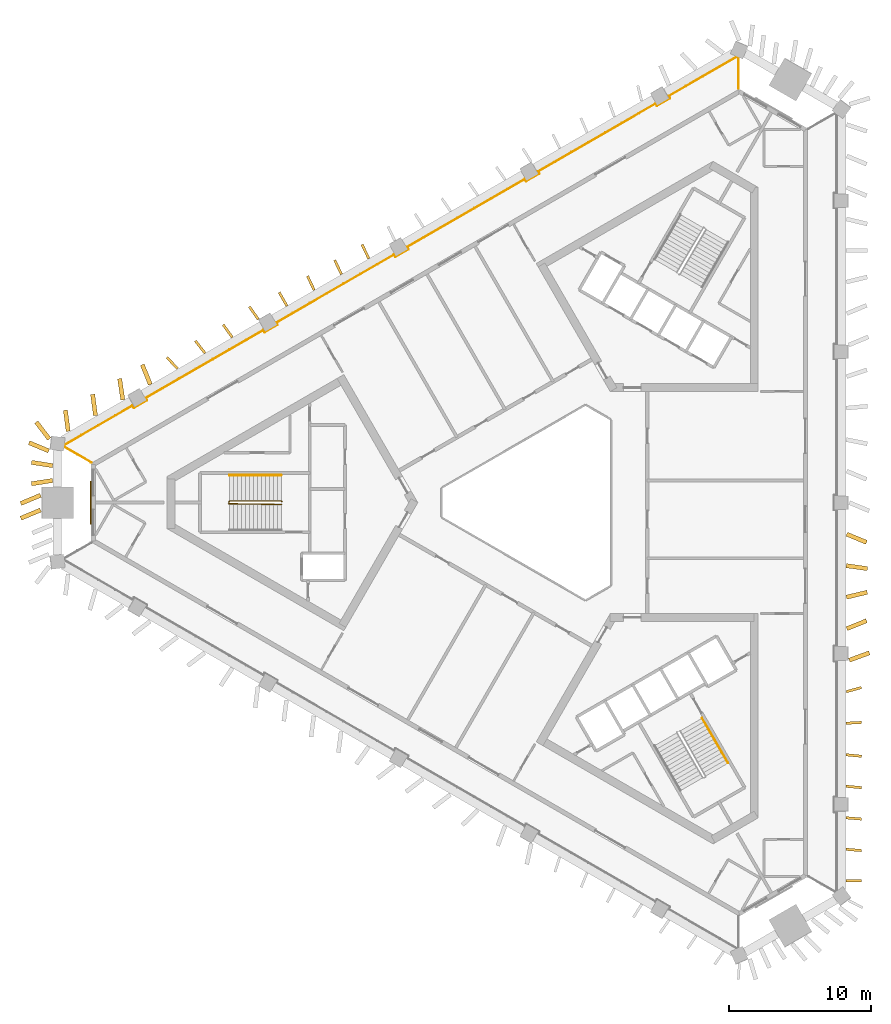
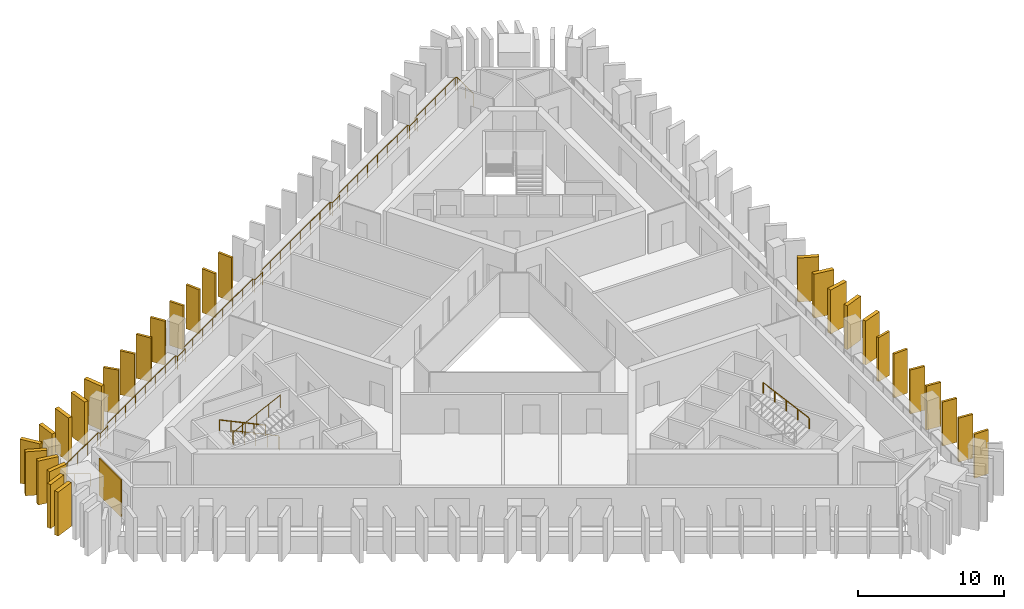
# One storey, part 8 of 9: 30 shading devices, 4 railings, 1 covering.
"""IFC4 building model written with IfcOpenShell, lengths in metres."""

from ifc_helpers import new_model, si_unit, direction, frame, frame_2d, origin, origin_2d, place, context, subcontext, project, spatial, rectangle, circle, extrude, material, layer, layer_set, type_object, element, save


model = new_model("IFC4")

# Units and contexts
model_context = context("Model", 3, precision=1e-05, world=origin(), true_north=direction((0.0, 1.0)))
body_context = subcontext(model_context, "Body", "Model", "MODEL_VIEW")
ifc_project = project(units=[si_unit("LENGTHUNIT", "METRE"), si_unit("AREAUNIT", "SQUARE_METRE"), si_unit("VOLUMEUNIT", "CUBIC_METRE"), si_unit("PLANEANGLEUNIT", "RADIAN"), si_unit("MASSUNIT", "GRAM", prefix="KILO")], contexts=[model_context])

# Site, building, storey
site_placement = place(None, origin())
site = spatial("IfcSite", under=ifc_project, at=site_placement, CompositionType="ELEMENT")
building_placement = place(site_placement, origin())
building = spatial("IfcBuilding", under=site, at=building_placement, Name="Jabali Bay Hotel Tower and Convention Centre", CompositionType="ELEMENT")
storey_placement = place(building_placement, frame((0.0, 0.0, 193.300048828125)))
storey = spatial("IfcBuildingStorey", under=building, at=storey_placement, Name="L47", CompositionType="ELEMENT", Elevation=193.300048828125)

# Railing
ifc_material_1 = material(Name="Glass", Category="glass")
railing_type_1 = type_object("IfcRailingType", Name="Loggia glass guard 1100", PredefinedType="BALUSTRADE", material=ifc_material_1)
railing_1_placement = place(storey_placement, frame((43.081787109375, 82.822021484375, 0.0)))
element("IfcRailing", 1, at=railing_1_placement, inside=storey, type_object=railing_type_1, Name="Loggia glass guard L47", PredefinedType="BALUSTRADE", context=body_context, shape_type="SweptSolid", body=[
    extrude(circle(Radius=0.02490234375, at=origin_2d()), frame((0.0, 0.0, 1.0751953125), z_axis=(-0.866035418383, 0.499982653806, 0.0), x_axis=(-0.495705232892, -0.858626365323, 0.13052619222)), (0.0, 0.0, 1.0), 2.19287109375),
    extrude(circle(Radius=0.02490234375, at=origin_2d()), frame((-1.899169921875, 1.096435546875, 1.0751953125), z_axis=(0.119984594018, 0.992775753732, 0.0), x_axis=(-0.984282419534, 0.118958109183, 0.13052619222)), (0.0, 0.0, 1.0), 0.126220703125),
    extrude(circle(Radius=0.02490234375, at=origin_2d()), frame((-1.884033203125, 1.2216796875, 1.0751953125), z_axis=(0.866020156448, 0.500009088543, 0.0), x_axis=(-0.495731441476, 0.858611233957, 0.13052619222)), (0.0, 0.0, 1.0), 5.52978515625),
    extrude(circle(Radius=0.02490234375, at=origin_2d()), frame((2.90478515625, 3.986572265625, 1.0751953125), z_axis=(0.500486622847, -0.865744269604, 0.0), x_axis=(0.858337707362, 0.496204890408, 0.13052619222)), (0.0, 0.0, 1.0), 0.175048828125),
    extrude(circle(Radius=0.02490234375, at=origin_2d()), frame((2.992431640625, 3.8349609375, 1.0751953125), z_axis=(0.86592997719, 0.500165247297, 0.0), x_axis=(-0.495886264271, 0.858521826194, 0.13052619222)), (0.0, 0.0, 1.0), 1.050048828125),
    extrude(circle(Radius=0.02490234375, at=origin_2d()), frame((3.901611328125, 4.360107421875, 1.0751953125), z_axis=(-0.499440622861, 0.866348119543, 0.0), x_axis=(-0.858936391282, -0.495167839097, 0.13052619222)), (0.0, 0.0, 1.0), 0.175048828125),
    extrude(circle(Radius=0.02490234375, at=origin_2d()), frame((3.814208984375, 4.51171875, 1.0751953125), z_axis=(0.866030175195, 0.499991735583, 0.0), x_axis=(-0.495714236973, 0.858621166992, 0.13052619222)), (0.0, 0.0, 1.0), 9.548583984375),
    extrude(circle(Radius=0.02490234375, at=origin_2d()), frame((12.08349609375, 9.285888671875, 1.0751953125), z_axis=(0.499440622861, -0.866348119543, 0.0), x_axis=(0.858936391282, 0.495167839097, 0.13052619222)), (0.0, 0.0, 1.0), 0.175048828125),
    extrude(circle(Radius=0.02490234375, at=origin_2d()), frame((12.1708984375, 9.13427734375, 1.0751953125), z_axis=(0.865988129768, 0.500064554934, 0.0), x_axis=(-0.495786433345, 0.858579481269, 0.13052619222)), (0.0, 0.0, 1.0), 1.050048828125),
    extrude(circle(Radius=0.02490234375, at=origin_2d()), frame((13.080322265625, 9.659423828125, 1.0751953125), z_axis=(-0.501091290591, 0.865394429433, 0.0), x_axis=(-0.857990860123, -0.496804385136, 0.13052619222)), (0.0, 0.0, 1.0), 0.1748046875),
    extrude(circle(Radius=0.02490234375, at=origin_2d()), frame((12.99267578125, 9.810791015625, 1.0751953125), z_axis=(0.866019103767, 0.500010911791, 0.0), x_axis=(-0.495733249126, 0.858610190282, 0.13052619222)), (0.0, 0.0, 1.0), 9.548583984375),
    extrude(circle(Radius=0.02490234375, at=origin_2d()), frame((21.261962890625, 14.585205078125, 1.0751953125), z_axis=(0.499440622861, -0.866348119543, 0.0), x_axis=(0.858936391282, 0.495167839097, 0.13052619222)), (0.0, 0.0, 1.0), 0.175048828125),
    extrude(circle(Radius=0.02490234375, at=origin_2d()), frame((21.349365234375, 14.43359375, 1.0751953125), z_axis=(0.866088799389, 0.499890179513, 0.0), x_axis=(-0.495613549729, 0.858679289647, 0.13052619222)), (0.0, 0.0, 1.0), 1.050048828125),
    extrude(circle(Radius=0.02490234375, at=origin_2d()), frame((22.2587890625, 14.95849609375, 1.0751953125), z_axis=(-0.499440622861, 0.866348119543, 0.0), x_axis=(-0.858936391282, -0.495167839097, 0.13052619222)), (0.0, 0.0, 1.0), 0.175048828125),
    extrude(circle(Radius=0.02490234375, at=origin_2d()), frame((22.17138671875, 15.110107421875, 1.0751953125), z_axis=(0.866030175195, 0.499991735583, 0.0), x_axis=(-0.495714236973, 0.858621166992, 0.13052619222)), (0.0, 0.0, 1.0), 9.548583984375),
    extrude(circle(Radius=0.02490234375, at=origin_2d()), frame((30.440673828125, 19.88427734375, 1.0751953125), z_axis=(0.500044870432, -0.865999496279, 0.0), x_axis=(0.858590750538, 0.495766917246, 0.13052619222)), (0.0, 0.0, 1.0), 0.1748046875),
    extrude(circle(Radius=0.02490234375, at=origin_2d()), frame((30.528076171875, 19.73291015625, 1.0751953125), z_axis=(0.866088799389, 0.499890179513, 0.0), x_axis=(-0.495613549729, 0.858679289647, 0.13052619222)), (0.0, 0.0, 1.0), 1.050048828125),
    extrude(circle(Radius=0.02490234375, at=origin_2d()), frame((31.4375, 20.2578125, 1.0751953125), z_axis=(-0.500486622847, 0.865744269604, 0.0), x_axis=(-0.858337707362, -0.496204890408, 0.13052619222)), (0.0, 0.0, 1.0), 0.175048828125),
    extrude(circle(Radius=0.02490234375, at=origin_2d()), frame((31.349853515625, 20.409423828125, 1.0751953125), z_axis=(0.866030175195, 0.499991735583, 0.0), x_axis=(-0.495714236973, 0.858621166992, 0.13052619222)), (0.0, 0.0, 1.0), 9.548583984375),
    extrude(circle(Radius=0.02490234375, at=origin_2d()), frame((39.619140625, 25.18359375, 1.0751953125), z_axis=(0.499440622861, -0.866348119543, 0.0), x_axis=(0.858936391282, 0.495167839097, 0.13052619222)), (0.0, 0.0, 1.0), 0.175048828125),
    extrude(circle(Radius=0.02490234375, at=origin_2d()), frame((39.70654296875, 25.031982421875, 1.0751953125), z_axis=(0.865988129768, 0.500064554934, 0.0), x_axis=(-0.495786433345, 0.858579481269, 0.13052619222)), (0.0, 0.0, 1.0), 1.050048828125),
    extrude(circle(Radius=0.02490234375, at=origin_2d()), frame((40.615966796875, 25.55712890625, 1.0751953125), z_axis=(-0.499440622861, 0.866348119543, 0.0), x_axis=(-0.858936391282, -0.495167839097, 0.13052619222)), (0.0, 0.0, 1.0), 0.175048828125),
    extrude(circle(Radius=0.02490234375, at=origin_2d()), frame((40.528564453125, 25.708740234375, 1.0751953125), z_axis=(0.866020156448, 0.500009088543, 0.0), x_axis=(-0.495731441476, 0.858611233957, 0.13052619222)), (0.0, 0.0, 1.0), 5.52978515625),
    extrude(circle(Radius=0.02490234375, at=origin_2d()), frame((45.3173828125, 28.4736328125, 1.0751953125), z_axis=(0.9195450827, -0.39298453008, 0.0), x_axis=(0.389622492947, 0.911678247044, 0.13052619222)), (0.0, 0.0, 1.0), 0.126220703125),
    extrude(circle(Radius=0.02490234375, at=origin_2d()), frame((45.433349609375, 28.424072265625, 1.0751953125), z_axis=(0.0, -1.0, 0.0), x_axis=(0.991444861374, 0.0, 0.13052619222)), (0.0, 0.0, 1.0), 2.19287109375),
    extrude(circle(Radius=0.02001953125, at=origin_2d()), origin(), (0.0, 0.0, 1.0), 1.050048828125),
    extrude(circle(Radius=0.02001953125, at=origin_2d()), frame((-0.94970703125, 0.54833984375, 0.0)), (0.0, 0.0, 1.0), 1.050048828125),
    extrude(circle(Radius=0.02001953125, at=origin_2d()), frame((-1.899169921875, 1.096435546875, 0.0)), (0.0, 0.0, 1.0), 1.050048828125),
    extrude(circle(Radius=0.02001953125, at=origin_2d()), frame((-1.884033203125, 1.2216796875, 0.0)), (0.0, 0.0, 1.0), 1.050048828125),
    extrude(circle(Radius=0.02001953125, at=origin_2d()), frame((-0.686767578125, 1.912841796875, 0.0)), (0.0, 0.0, 1.0), 1.050048828125),
    extrude(circle(Radius=0.02001953125, at=origin_2d()), frame((0.51025390625, 2.60400390625, 0.0)), (0.0, 0.0, 1.0), 1.050048828125),
    extrude(circle(Radius=0.02001953125, at=origin_2d()), frame((1.70751953125, 3.29541015625, 0.0)), (0.0, 0.0, 1.0), 1.050048828125),
    extrude(circle(Radius=0.02001953125, at=origin_2d()), frame((2.90478515625, 3.986572265625, 0.0)), (0.0, 0.0, 1.0), 1.050048828125),
    extrude(circle(Radius=0.02001953125, at=origin_2d()), frame((2.992431640625, 3.8349609375, 0.0)), (0.0, 0.0, 1.0), 1.050048828125),
    extrude(circle(Radius=0.02001953125, at=origin_2d()), frame((3.901611328125, 4.360107421875, 0.0)), (0.0, 0.0, 1.0), 1.050048828125),
    extrude(circle(Radius=0.02001953125, at=origin_2d()), frame((3.814208984375, 4.51171875, 0.0)), (0.0, 0.0, 1.0), 1.050048828125),
    extrude(circle(Radius=0.02001953125, at=origin_2d()), frame((4.99560546875, 5.19384765625, 0.0)), (0.0, 0.0, 1.0), 1.050048828125),
    extrude(circle(Radius=0.02001953125, at=origin_2d()), frame((6.1767578125, 5.875732421875, 0.0)), (0.0, 0.0, 1.0), 1.050048828125),
    extrude(circle(Radius=0.02001953125, at=origin_2d()), frame((7.358154296875, 6.557861328125, 0.0)), (0.0, 0.0, 1.0), 1.050048828125),
    extrude(circle(Radius=0.02001953125, at=origin_2d()), frame((8.53955078125, 7.23974609375, 0.0)), (0.0, 0.0, 1.0), 1.050048828125),
    extrude(circle(Radius=0.02001953125, at=origin_2d()), frame((9.720947265625, 7.921875, 0.0)), (0.0, 0.0, 1.0), 1.050048828125),
    extrude(circle(Radius=0.02001953125, at=origin_2d()), frame((10.902099609375, 8.603759765625, 0.0)), (0.0, 0.0, 1.0), 1.050048828125),
    extrude(circle(Radius=0.02001953125, at=origin_2d()), frame((12.08349609375, 9.285888671875, 0.0)), (0.0, 0.0, 1.0), 1.050048828125),
    extrude(circle(Radius=0.02001953125, at=origin_2d()), frame((12.1708984375, 9.13427734375, 0.0)), (0.0, 0.0, 1.0), 1.050048828125),
    extrude(circle(Radius=0.02001953125, at=origin_2d()), frame((13.080322265625, 9.659423828125, 0.0)), (0.0, 0.0, 1.0), 1.050048828125),
    extrude(circle(Radius=0.02001953125, at=origin_2d()), frame((12.99267578125, 9.810791015625, 0.0)), (0.0, 0.0, 1.0), 1.050048828125),
    extrude(circle(Radius=0.02001953125, at=origin_2d()), frame((14.174072265625, 10.492919921875, 0.0)), (0.0, 0.0, 1.0), 1.050048828125),
    extrude(circle(Radius=0.02001953125, at=origin_2d()), frame((15.355224609375, 11.1748046875, 0.0)), (0.0, 0.0, 1.0), 1.050048828125),
    extrude(circle(Radius=0.02001953125, at=origin_2d()), frame((16.53662109375, 11.85693359375, 0.0)), (0.0, 0.0, 1.0), 1.050048828125),
    extrude(circle(Radius=0.02001953125, at=origin_2d()), frame((17.718017578125, 12.5390625, 0.0)), (0.0, 0.0, 1.0), 1.050048828125),
    extrude(circle(Radius=0.02001953125, at=origin_2d()), frame((18.8994140625, 13.22119140625, 0.0)), (0.0, 0.0, 1.0), 1.050048828125),
    extrude(circle(Radius=0.02001953125, at=origin_2d()), frame((20.08056640625, 13.903076171875, 0.0)), (0.0, 0.0, 1.0), 1.050048828125),
    extrude(circle(Radius=0.02001953125, at=origin_2d()), frame((21.261962890625, 14.585205078125, 0.0)), (0.0, 0.0, 1.0), 1.050048828125),
    extrude(circle(Radius=0.02001953125, at=origin_2d()), frame((21.349365234375, 14.43359375, 0.0)), (0.0, 0.0, 1.0), 1.050048828125),
    extrude(circle(Radius=0.02001953125, at=origin_2d()), frame((22.2587890625, 14.95849609375, 0.0)), (0.0, 0.0, 1.0), 1.050048828125),
    extrude(circle(Radius=0.02001953125, at=origin_2d()), frame((22.17138671875, 15.110107421875, 0.0)), (0.0, 0.0, 1.0), 1.050048828125),
    extrude(circle(Radius=0.02001953125, at=origin_2d()), frame((23.352783203125, 15.792236328125, 0.0)), (0.0, 0.0, 1.0), 1.050048828125),
    extrude(circle(Radius=0.02001953125, at=origin_2d()), frame((24.533935546875, 16.47412109375, 0.0)), (0.0, 0.0, 1.0), 1.050048828125),
    extrude(circle(Radius=0.02001953125, at=origin_2d()), frame((25.71533203125, 17.15625, 0.0)), (0.0, 0.0, 1.0), 1.050048828125),
    extrude(circle(Radius=0.02001953125, at=origin_2d()), frame((26.896728515625, 17.838134765625, 0.0)), (0.0, 0.0, 1.0), 1.050048828125),
    extrude(circle(Radius=0.02001953125, at=origin_2d()), frame((28.078125, 18.520263671875, 0.0)), (0.0, 0.0, 1.0), 1.050048828125),
    extrude(circle(Radius=0.02001953125, at=origin_2d()), frame((29.25927734375, 19.2021484375, 0.0)), (0.0, 0.0, 1.0), 1.050048828125),
    extrude(circle(Radius=0.02001953125, at=origin_2d()), frame((30.440673828125, 19.88427734375, 0.0)), (0.0, 0.0, 1.0), 1.050048828125),
    extrude(circle(Radius=0.02001953125, at=origin_2d()), frame((30.528076171875, 19.73291015625, 0.0)), (0.0, 0.0, 1.0), 1.050048828125),
    extrude(circle(Radius=0.02001953125, at=origin_2d()), frame((31.4375, 20.2578125, 0.0)), (0.0, 0.0, 1.0), 1.050048828125),
    extrude(circle(Radius=0.02001953125, at=origin_2d()), frame((31.349853515625, 20.409423828125, 0.0)), (0.0, 0.0, 1.0), 1.050048828125),
    extrude(circle(Radius=0.02001953125, at=origin_2d()), frame((32.53125, 21.091552734375, 0.0)), (0.0, 0.0, 1.0), 1.050048828125),
    extrude(circle(Radius=0.02001953125, at=origin_2d()), frame((33.71240234375, 21.7734375, 0.0)), (0.0, 0.0, 1.0), 1.050048828125),
    extrude(circle(Radius=0.02001953125, at=origin_2d()), frame((34.893798828125, 22.45556640625, 0.0)), (0.0, 0.0, 1.0), 1.050048828125),
    extrude(circle(Radius=0.02001953125, at=origin_2d()), frame((36.0751953125, 23.137451171875, 0.0)), (0.0, 0.0, 1.0), 1.050048828125),
    extrude(circle(Radius=0.02001953125, at=origin_2d()), frame((37.256591796875, 23.819580078125, 0.0)), (0.0, 0.0, 1.0), 1.050048828125),
    extrude(circle(Radius=0.02001953125, at=origin_2d()), frame((38.437744140625, 24.50146484375, 0.0)), (0.0, 0.0, 1.0), 1.050048828125),
    extrude(circle(Radius=0.02001953125, at=origin_2d()), frame((39.619140625, 25.18359375, 0.0)), (0.0, 0.0, 1.0), 1.050048828125),
    extrude(circle(Radius=0.02001953125, at=origin_2d()), frame((39.70654296875, 25.031982421875, 0.0)), (0.0, 0.0, 1.0), 1.050048828125),
    extrude(circle(Radius=0.02001953125, at=origin_2d()), frame((40.615966796875, 25.55712890625, 0.0)), (0.0, 0.0, 1.0), 1.050048828125),
    extrude(circle(Radius=0.02001953125, at=origin_2d()), frame((40.528564453125, 25.708740234375, 0.0)), (0.0, 0.0, 1.0), 1.050048828125),
    extrude(circle(Radius=0.02001953125, at=origin_2d()), frame((41.725830078125, 26.39990234375, 0.0)), (0.0, 0.0, 1.0), 1.050048828125),
    extrude(circle(Radius=0.02001953125, at=origin_2d()), frame((42.9228515625, 27.09130859375, 0.0)), (0.0, 0.0, 1.0), 1.050048828125),
    extrude(circle(Radius=0.02001953125, at=origin_2d()), frame((44.1201171875, 27.782470703125, 0.0)), (0.0, 0.0, 1.0), 1.050048828125),
    extrude(circle(Radius=0.02001953125, at=origin_2d()), frame((45.3173828125, 28.4736328125, 0.0)), (0.0, 0.0, 1.0), 1.050048828125),
    extrude(circle(Radius=0.02001953125, at=origin_2d()), frame((45.433349609375, 28.424072265625, 0.0)), (0.0, 0.0, 1.0), 1.050048828125),
    extrude(circle(Radius=0.02001953125, at=origin_2d()), frame((45.433349609375, 27.32763671875, 0.0)), (0.0, 0.0, 1.0), 1.050048828125),
    extrude(circle(Radius=0.02001953125, at=origin_2d()), frame((45.433349609375, 26.231201171875, 0.0)), (0.0, 0.0, 1.0), 1.050048828125),
])

# Shading devices
ifc_material_2 = material(Name="Precast concrete C60", Category="concrete")
ifc_layer_1 = layer(ifc_material_2, 0.179931640625)
ifc_layer_set_1 = layer_set([ifc_layer_1], Name="Precast concrete C60")
shading_device_type_1 = type_object("IfcShadingDeviceType", Name="Precast fin 3680 x 1100", PredefinedType="USERDEFINED", material=ifc_layer_set_1)
for number, where, z_axis, x_axis, name in (
    (2, (96.0458984375, 53.460205078125, 0.010009765625), (0.0, 0.0, 1.0), (0.9999880814, -0.004882320859, 0.0), "Fin L47 000"),
    (3, (96.052734375, 55.671875, 0.010009765625), (0.0, 0.0, 1.0), (0.996731463559, -0.080786072753, 0.0), "Fin L47 001"),
    (4, (96.052978515625, 57.883544921875, 0.010009765625), (0.0, 0.0, 1.0), (0.996548818927, -0.083008743492, 0.0), "Fin L47 002"),
):
    element("IfcShadingDevice", number, at=place(storey_placement, frame(where, z_axis=z_axis, x_axis=x_axis)), inside=storey, type_object=shading_device_type_1, Name=name, ObjectType="FIN", PredefinedType="USERDEFINED", context=body_context, shape_type="SweptSolid", body=[
        extrude(rectangle(XDim=1.10009765625, YDim=0.179931640625, at=frame_2d((0.550048828125, 0.0))), origin(), (0.0, 0.0, 1.0), 3.679931640625),
    ])
shading_device_1_placement = place(storey_placement, frame((96.0537109375, 60.09521484375, 0.010009765625), z_axis=(0.0, 0.0, 1.0), x_axis=(0.995931323898, -0.090115470805, 0.0)))
element("IfcShadingDevice", 5, at=shading_device_1_placement, inside=storey, type_object=shading_device_type_1, Name="Fin L47 003", ObjectType="FIN", PredefinedType="USERDEFINED", context=body_context, shape_type="SweptSolid", body=[
    extrude(rectangle(XDim=1.099853515625, YDim=0.179931640625, at=frame_2d((0.5498046875, 0.0))), origin(), (0.0, 0.0, 1.0), 3.679931640625),
])
shading_device_2_placement = place(storey_placement, frame((96.05419921875, 62.306884765625, 0.010009765625), z_axis=(0.0, 0.0, 1.0), x_axis=(0.995308052285, -0.096756814001, 0.0)))
element("IfcShadingDevice", 6, at=shading_device_2_placement, inside=storey, type_object=shading_device_type_1, Name="Fin L47 004", ObjectType="FIN", PredefinedType="USERDEFINED", context=body_context, shape_type="SweptSolid", body=[
    extrude(rectangle(XDim=1.10009765625, YDim=0.179931640625, at=frame_2d((0.550048828125, 0.0))), origin(), (0.0, 0.0, 1.0), 3.679931640625),
])
shading_device_3_placement = place(storey_placement, frame((96.05029296875, 64.5185546875, 0.010009765625), z_axis=(0.0, 0.0, 1.0), x_axis=(0.998638598691, 0.052162718536, 0.0)))
element("IfcShadingDevice", 7, at=shading_device_3_placement, inside=storey, type_object=shading_device_type_1, Name="Fin L47 005", ObjectType="FIN", PredefinedType="USERDEFINED", context=body_context, shape_type="SweptSolid", body=[
    extrude(rectangle(XDim=1.099853515625, YDim=0.179931640625, at=frame_2d((0.5498046875, 0.0))), origin(), (0.0, 0.0, 1.0), 3.679931640625),
])
shading_device_4_placement = place(storey_placement, frame((96.06982421875, 66.730224609375, 0.010009765625), z_axis=(0.0, 0.0, 1.0), x_axis=(0.963263090446, 0.268559525216, 0.0)))
element("IfcShadingDevice", 8, at=shading_device_4_placement, inside=storey, type_object=shading_device_type_1, Name="Fin L47 006", ObjectType="FIN", PredefinedType="USERDEFINED", context=body_context, shape_type="SweptSolid", body=[
    extrude(rectangle(XDim=1.10009765625, YDim=0.179931640625, at=frame_2d((0.550048828125, 0.0))), origin(), (0.0, 0.0, 1.0), 3.679931640625),
])
shading_device_5_placement = place(storey_placement, frame((62.558349609375, 97.12646484375, 0.010009765625), z_axis=(0.0, 0.0, 1.0), x_axis=(-0.429726783493, 0.902958964488, 0.0)))
element("IfcShadingDevice", 9, at=shading_device_5_placement, inside=storey, type_object=shading_device_type_1, Name="Fin L47 046", ObjectType="FIN", PredefinedType="USERDEFINED", context=body_context, shape_type="SweptSolid", body=[
    extrude(rectangle(XDim=1.099853515625, YDim=0.179931640625, at=frame_2d((0.5498046875, 0.0))), origin(), (0.0, 0.0, 1.0), 3.679931640625),
])
shading_device_6_placement = place(storey_placement, frame((60.64306640625, 96.0205078125, 0.010009765625), z_axis=(0.0, 0.0, 1.0), x_axis=(-0.429459687257, 0.90308602969, 0.0)))
element("IfcShadingDevice", 10, at=shading_device_6_placement, inside=storey, type_object=shading_device_type_1, Name="Fin L47 047", ObjectType="FIN", PredefinedType="USERDEFINED", context=body_context, shape_type="SweptSolid", body=[
    extrude(rectangle(XDim=1.10009765625, YDim=0.179931640625, at=frame_2d((0.550048828125, 0.0))), origin(), (0.0, 0.0, 1.0), 3.679931640625),
])
for number, where, z_axis, x_axis, name in (
    (11, (58.7275390625, 94.914794921875, 0.010009765625), (0.0, 0.0, 1.0), (-0.428830424839, 0.903385004708, 0.0), "Fin L47 048"),
    (12, (56.815673828125, 93.80322265625, 0.010009765625), (0.0, 0.0, 1.0), (-0.495636884155, 0.868529837752, 0.0), "Fin L47 049"),
):
    element("IfcShadingDevice", number, at=place(storey_placement, frame(where, z_axis=z_axis, x_axis=x_axis)), inside=storey, type_object=shading_device_type_1, Name=name, ObjectType="FIN", PredefinedType="USERDEFINED", context=body_context, shape_type="SweptSolid", body=[
        extrude(rectangle(XDim=1.099853515625, YDim=0.179931640625, at=frame_2d((0.5498046875, 0.0))), origin(), (0.0, 0.0, 1.0), 3.679931640625),
    ])
for number, where, z_axis, x_axis, name in (
    (13, (54.80859375, 92.85595703125, 0.010009765625), (0.0, 0.0, 1.0), (-0.573000538038, 0.819554991082, 0.0), "Fin L47 050"),
    (14, (52.980712890625, 91.598876953125, 0.010009765625), (0.0, 0.0, 1.0), (-0.584550243006, 0.811357512692, 0.0), "Fin L47 051"),
):
    element("IfcShadingDevice", number, at=place(storey_placement, frame(where, z_axis=z_axis, x_axis=x_axis)), inside=storey, type_object=shading_device_type_1, Name=name, ObjectType="FIN", PredefinedType="USERDEFINED", context=body_context, shape_type="SweptSolid", body=[
        extrude(rectangle(XDim=1.10009765625, YDim=0.179931640625, at=frame_2d((0.550048828125, 0.0))), origin(), (0.0, 0.0, 1.0), 3.679931640625),
    ])
shading_device_7_placement = place(storey_placement, frame((51.0634765625, 90.496337890625, 0.010009765625), z_axis=(0.0, 0.0, 1.0), x_axis=(-0.617713717143, 0.786403054199, 0.0)))
element("IfcShadingDevice", 15, at=shading_device_7_placement, inside=storey, type_object=shading_device_type_1, Name="Fin L47 052", ObjectType="FIN", PredefinedType="USERDEFINED", context=body_context, shape_type="SweptSolid", body=[
    extrude(rectangle(XDim=1.099853515625, YDim=0.179931640625, at=frame_2d((0.5498046875, 0.0))), origin(), (0.0, 0.0, 1.0), 3.679931640625),
])
shading_device_8_placement = place(storey_placement, frame((49.144287109375, 89.397216796875, 0.010009765625), z_axis=(0.0, 0.0, 1.0), x_axis=(-0.68548236384, 0.728089231389, 0.0)))
element("IfcShadingDevice", 16, at=shading_device_8_placement, inside=storey, type_object=shading_device_type_1, Name="Fin L47 053", ObjectType="FIN", PredefinedType="USERDEFINED", context=body_context, shape_type="SweptSolid", body=[
    extrude(rectangle(XDim=1.10009765625, YDim=0.179931640625, at=frame_2d((0.550048828125, 0.0))), origin(), (0.0, 0.0, 1.0), 3.679931640625),
])
ifc_layer_2 = layer(ifc_material_2, 0.300048828125)
ifc_layer_set_2 = layer_set([ifc_layer_2], Name="Precast concrete C60")
shading_device_type_2 = type_object("IfcShadingDeviceType", Name="Precast fin 3680 x 1500", PredefinedType="USERDEFINED", material=ifc_layer_set_2)
shading_device_9_placement = place(storey_placement, frame((96.27978515625, 68.94189453125, 0.010009765625), z_axis=(0.0, 0.0, 1.0), x_axis=(0.938570800408, 0.345086732027, 0.0)))
element("IfcShadingDevice", 17, at=shading_device_9_placement, inside=storey, type_object=shading_device_type_2, Name="Fin L47 007", ObjectType="FIN", PredefinedType="USERDEFINED", context=body_context, shape_type="SweptSolid", body=[
    extrude(rectangle(XDim=1.499755859375, YDim=0.300048828125, at=frame_2d((0.75, 0.0))), origin(), (0.0, 0.0, 1.0), 3.679931640625),
])
for number, where, z_axis, x_axis, name in (
    (18, (96.101806640625, 71.1533203125, 0.010009765625), (0.0, 0.0, 1.0), (0.927282044717, 0.374363472503, 0.0), "Fin L47 008"),
    (19, (96.080078125, 73.364990234375, 0.010009765625), (0.0, 0.0, 1.0), (0.973192562063, 0.229991819735, 0.0), "Fin L47 009"),
):
    element("IfcShadingDevice", number, at=place(storey_placement, frame(where, z_axis=z_axis, x_axis=x_axis)), inside=storey, type_object=shading_device_type_2, Name=name, ObjectType="FIN", PredefinedType="USERDEFINED", context=body_context, shape_type="SweptSolid", body=[
        extrude(rectangle(XDim=1.5, YDim=0.300048828125, at=frame_2d((0.75, 0.0))), origin(), (0.0, 0.0, 1.0), 3.679931640625),
    ])
shading_device_10_placement = place(storey_placement, frame((96.06640625, 75.57666015625, 0.010009765625), z_axis=(0.0, 0.0, 1.0), x_axis=(0.990336381758, -0.13868615997, 0.0)))
element("IfcShadingDevice", 20, at=shading_device_10_placement, inside=storey, type_object=shading_device_type_2, Name="Fin L47 010", ObjectType="FIN", PredefinedType="USERDEFINED", context=body_context, shape_type="SweptSolid", body=[
    extrude(rectangle(XDim=1.499755859375, YDim=0.300048828125, at=frame_2d((0.75, 0.0))), origin(), (0.0, 0.0, 1.0), 3.679931640625),
])
for number, where, z_axis, x_axis, name in (
    (21, (96.103271484375, 77.788330078125, 0.010009765625), (0.0, 0.0, 1.0), (0.923211702523, -0.384291754171, 0.0), "Fin L47 011"),
    (22, (47.228759765625, 88.29150390625, 0.010009765625), (0.0, 0.0, 1.0), (-0.376324654276, 0.926487859923, 0.0), "Fin L47 054"),
    (23, (45.29638671875, 87.215576171875, 0.010009765625), (0.0, 0.0, 1.0), (-0.147138517431, 0.98911589649, 0.0), "Fin L47 055"),
    (24, (43.3798828125, 86.111328125, 0.010009765625), (0.0, 0.0, 1.0), (-0.133144530303, 0.991096632045, 0.0), "Fin L47 056"),
    (25, (41.46435546875, 85.005859375, 0.010009765625), (0.0, 0.0, 1.0), (-0.129721878573, 0.991550419404, 0.0), "Fin L47 057"),
):
    element("IfcShadingDevice", number, at=place(storey_placement, frame(where, z_axis=z_axis, x_axis=x_axis)), inside=storey, type_object=shading_device_type_2, Name=name, ObjectType="FIN", PredefinedType="USERDEFINED", context=body_context, shape_type="SweptSolid", body=[
        extrude(rectangle(XDim=1.5, YDim=0.300048828125, at=frame_2d((0.75, 0.0))), origin(), (0.0, 0.0, 1.0), 3.679931640625),
    ])
shading_device_11_placement = place(storey_placement, frame((40.099853515625, 83.631103515625, 0.010009765625), z_axis=(0.0, 0.0, 1.0), x_axis=(-0.923096181819, 0.384569160374, 0.0)))
element("IfcShadingDevice", 26, at=shading_device_11_placement, inside=storey, type_object=shading_device_type_2, Name="Fin L47 058", ObjectType="FIN", PredefinedType="USERDEFINED", context=body_context, shape_type="SweptSolid", body=[
    extrude(rectangle(XDim=1.500244140625, YDim=0.300048828125, at=frame_2d((0.75, 0.0))), origin(), (0.0, 0.0, 1.0), 3.679931640625),
])
for number, where, z_axis, x_axis, name in (
    (27, (40.37158203125, 82.59375, 0.010009765625), (0.0, 0.0, 1.0), (-0.987794617311, 0.155761978706, 0.0), "Fin L47 059"),
    (28, (40.371826171875, 81.55615234375, 0.010009765625), (0.0, 0.0, 1.0), (-0.98807633551, -0.153964785602, 0.0), "Fin L47 060"),
    (29, (39.524658203125, 80.518798828125, 0.010009765625), (0.0, 0.0, 1.0), (-0.923153948977, -0.38443047029, 0.0), "Fin L47 061"),
    (30, (39.524658203125, 79.481201171875, 0.010009765625), (0.0, 0.0, 1.0), (-0.923153948977, -0.38443047029, 0.0), "Fin L47 062"),
):
    element("IfcShadingDevice", number, at=place(storey_placement, frame(where, z_axis=z_axis, x_axis=x_axis)), inside=storey, type_object=shading_device_type_2, Name=name, ObjectType="FIN", PredefinedType="USERDEFINED", context=body_context, shape_type="SweptSolid", body=[
        extrude(rectangle(XDim=1.5, YDim=0.300048828125, at=frame_2d((0.75, 0.0))), origin(), (0.0, 0.0, 1.0), 3.679931640625),
    ])
shading_device_12_placement = place(storey_placement, frame((40.1337890625, 84.46630859375, 0.010009765625), z_axis=(0.0, 0.0, 1.0), x_axis=(-0.607679626979, 0.794182265575, 0.0)))
element("IfcShadingDevice", 31, at=shading_device_12_placement, inside=storey, type_object=shading_device_type_2, Name="Fin L47 102", ObjectType="FIN", PredefinedType="USERDEFINED", context=body_context, shape_type="SweptSolid", body=[
    extrude(rectangle(XDim=1.500244140625, YDim=0.300048828125, at=frame_2d((0.75, 0.0))), origin(), (0.0, 0.0, 1.0), 3.679931640625),
])

# Covering
ifc_material_3 = material(Name="Precast concrete C40/50", Category="concrete")
ifc_layer_3 = layer(ifc_material_3, 0.080078125)
ifc_layer_set_3 = layer_set([ifc_layer_3], Name="Precast concrete C40/50")
covering_type = type_object("IfcCoveringType", Name="Relief panel 3000 x 3100", PredefinedType="CLADDING", material=ifc_layer_set_3)
covering_placement = place(storey_placement, frame((43.041748046875, 80.0, 0.099853515625), z_axis=(0.0, 0.0, 1.0), x_axis=(0.0, 1.0, 0.0)))
element("IfcCovering", 32, at=covering_placement, inside=storey, type_object=covering_type, Name="Relief panel L47", PredefinedType="CLADDING", context=body_context, shape_type="SweptSolid", body=[
    extrude(rectangle(XDim=3.0, YDim=0.080078125, at=origin_2d()), origin(), (0.0, 0.0, 1.0), 3.10009765625),
])

# Railings
ifc_material_4 = material(Name="Steel Q355B", Category="steel")
railing_type_2 = type_object("IfcRailingType", Name="Stair guard 1100", PredefinedType="GUARDRAIL", material=ifc_material_4)
railing_2_placement = place(storey_placement, frame((56.469970703125, 80.074951171875, 0.0)))
element("IfcRailing", 33, at=railing_2_placement, inside=storey, type_object=railing_type_2, Name="L47 ST1 stair guard 1", PredefinedType="GUARDRAIL", context=body_context, shape_type="SweptSolid", body=[
    extrude(circle(Radius=0.02392578125, at=origin_2d()), frame((0.0, 0.0, 1.076171875), z_axis=(-0.333993628408, 0.333993628408, 0.881417331555), x_axis=(-0.707106781187, -0.707106781187, 0.0)), (0.0, 0.0, 1.0), 0.14990234375),
    extrude(circle(Radius=0.02392578125, at=origin_2d()), frame((-0.050048828125, 0.050048828125, 1.2080078125), z_axis=(-0.904350763662, 0.0, 0.426789990819), x_axis=(0.0, -1.0, 0.0)), (0.0, 0.0, 1.0), 4.02490234375),
    extrude(circle(Radius=0.02392578125, at=origin_2d()), frame((-3.68994140625, 0.050048828125, 2.92578125), z_axis=(-0.242814311512, -0.970072785993, 0.0), x_axis=(0.970072785993, -0.242814311512, 0.0)), (0.0, 0.0, 1.0), 0.2060546875),
    extrude(circle(Radius=0.02392578125, at=origin_2d()), frame((-3.739990234375, -0.14990234375, 2.92578125), z_axis=(0.893864111827, -0.012124000458, 0.448174026692), x_axis=(0.013562335953, 0.999908027292, 0.0)), (0.0, 0.0, 1.0), 4.128173828125),
    extrude(circle(Radius=0.02099609375, at=origin_2d()), origin(), (0.0, 0.0, 1.0), 1.052001953125),
    extrude(circle(Radius=0.02099609375, at=origin_2d()), frame((-0.050048828125, 0.050048828125, 0.132080078125)), (0.0, 0.0, 1.0), 1.052001953125),
    extrude(circle(Radius=0.02099609375, at=origin_2d()), frame((-0.9599609375, 0.050048828125, 0.5615234375)), (0.0, 0.0, 1.0), 1.052001953125),
    extrude(circle(Radius=0.02099609375, at=origin_2d()), frame((-1.8701171875, 0.050048828125, 0.990966796875)), (0.0, 0.0, 1.0), 1.052001953125),
    extrude(circle(Radius=0.02099609375, at=origin_2d()), frame((-2.780029296875, 0.050048828125, 1.42041015625)), (0.0, 0.0, 1.0), 1.052001953125),
    extrude(circle(Radius=0.02099609375, at=origin_2d()), frame((-3.68994140625, 0.050048828125, 1.849853515625)), (0.0, 0.0, 1.0), 1.052001953125),
    extrude(circle(Radius=0.02099609375, at=origin_2d()), frame((-3.739990234375, -0.14990234375, 1.849853515625)), (0.0, 0.0, 1.0), 1.052001953125),
    extrude(circle(Radius=0.02099609375, at=origin_2d()), frame((-2.8173828125, -0.162353515625, 2.3125)), (0.0, 0.0, 1.0), 1.052001953125),
    extrude(circle(Radius=0.02099609375, at=origin_2d()), frame((-1.89501953125, -0.1748046875, 2.77490234375)), (0.0, 0.0, 1.0), 1.052001953125),
    extrude(circle(Radius=0.02099609375, at=origin_2d()), frame((-0.97265625, -0.1875, 3.2373046875)), (0.0, 0.0, 1.0), 1.052001953125),
    extrude(circle(Radius=0.02099609375, at=origin_2d()), frame((-0.050048828125, -0.199951171875, 3.699951171875)), (0.0, 0.0, 1.0), 1.052001953125),
])
railing_type_3 = type_object("IfcRailingType", Name="Stair handrail 900", PredefinedType="HANDRAIL", material=ifc_material_4)
railing_3_placement = place(storey_placement, frame((56.419921875, 81.925048828125, 0.132080078125)))
element("IfcRailing", 34, at=railing_3_placement, inside=storey, type_object=railing_type_3, Name="L47 ST1 stair handrail 1", PredefinedType="HANDRAIL", context=body_context, shape_type="SweptSolid", body=[
    extrude(circle(Radius=0.02392578125, at=origin_2d()), frame((0.0, 0.0, 0.8759765625), z_axis=(-0.904350763662, 0.0, 0.426789990819), x_axis=(0.0, -1.0, 0.0)), (0.0, 0.0, 1.0), 4.02490234375),
    extrude(circle(Radius=0.02099609375, at=origin_2d()), origin(), (0.0, 0.0, 1.0), 0.851806640625),
    extrude(circle(Radius=0.02099609375, at=origin_2d()), frame((-0.909912109375, 0.0, 0.429443359375)), (0.0, 0.0, 1.0), 0.851806640625),
    extrude(circle(Radius=0.02099609375, at=origin_2d()), frame((-1.81982421875, 0.0, 0.85888671875)), (0.0, 0.0, 1.0), 0.851806640625),
    extrude(circle(Radius=0.02099609375, at=origin_2d()), frame((-2.72998046875, 0.0, 1.288330078125)), (0.0, 0.0, 1.0), 0.851806640625),
    extrude(circle(Radius=0.02099609375, at=origin_2d()), frame((-3.639892578125, 0.0, 1.7177734375)), (0.0, 0.0, 1.0), 0.851806640625),
])
railing_4_placement = place(storey_placement, frame((87.777099609375, 61.719482421875, 1.982177734375)))
element("IfcRailing", 35, at=railing_4_placement, inside=storey, type_object=railing_type_3, Name="L47 ST3 stair handrail 2", PredefinedType="HANDRAIL", context=body_context, shape_type="SweptSolid", body=[
    extrude(circle(Radius=0.02392578125, at=origin_2d()), frame((0.0, 0.0, 0.8759765625), z_axis=(-0.452190331055, 0.783190014029, 0.426775475427), x_axis=(-0.866018046521, -0.500012742938, 0.0)), (0.0, 0.0, 1.0), 4.02490234375),
    extrude(circle(Radius=0.02099609375, at=origin_2d()), origin(), (0.0, 0.0, 1.0), 0.851806640625),
    extrude(circle(Radius=0.02099609375, at=origin_2d()), frame((-0.455078125, 0.7880859375, 0.429443359375)), (0.0, 0.0, 1.0), 0.851806640625),
    extrude(circle(Radius=0.02099609375, at=origin_2d()), frame((-0.91015625, 1.576171875, 0.85888671875)), (0.0, 0.0, 1.0), 0.851806640625),
    extrude(circle(Radius=0.02099609375, at=origin_2d()), frame((-1.364990234375, 2.3642578125, 1.288330078125)), (0.0, 0.0, 1.0), 0.851806640625),
    extrude(circle(Radius=0.02099609375, at=origin_2d()), frame((-1.820068359375, 3.15234375, 1.7177734375)), (0.0, 0.0, 1.0), 0.851806640625),
])

save(model, "model.ifc")
